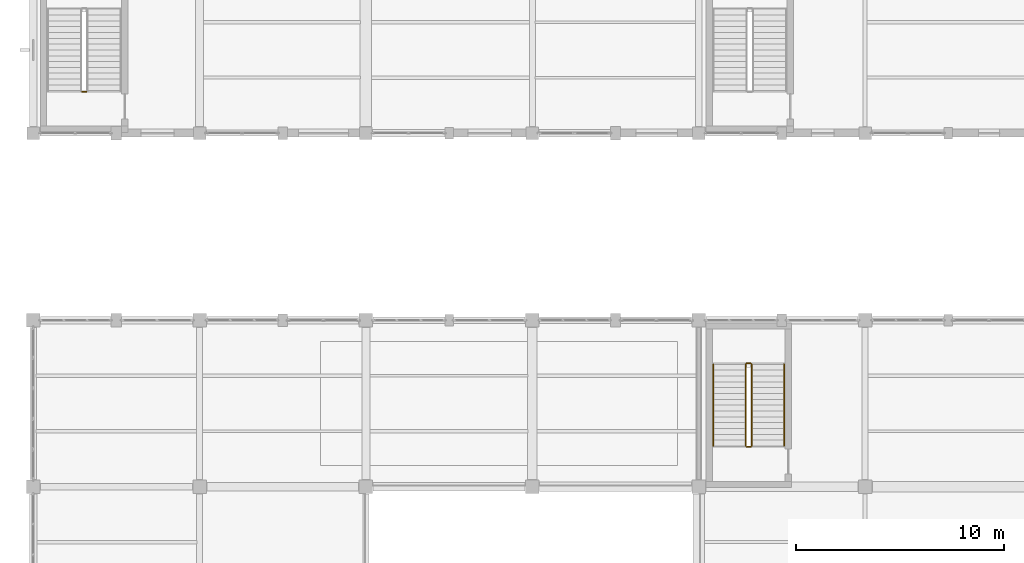
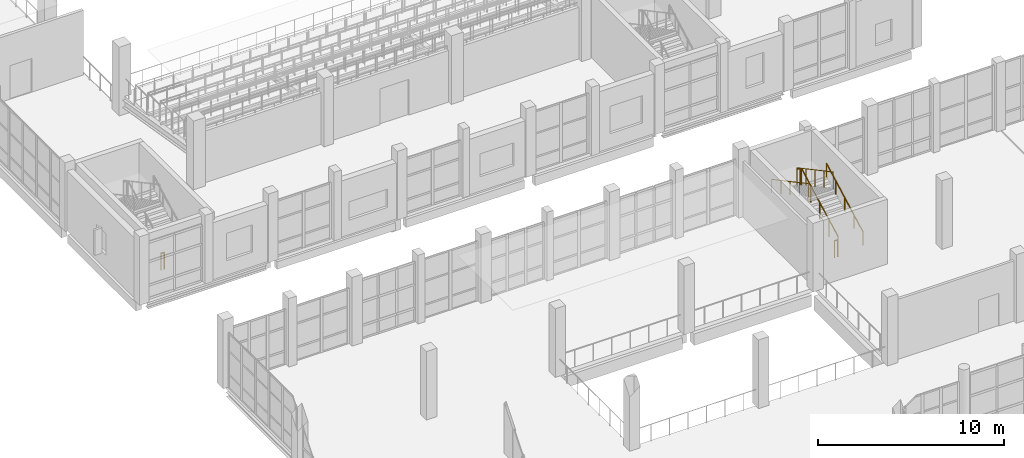
# One storey, part 166 of 183: 7 railings.
"""IFC4 building model written with IfcOpenShell, lengths in metres."""

from ifc_helpers import new_model, si_unit, direction, frame, origin, origin_2d, place, context, subcontext, project, spatial, circle, extrude, material, type_object, element, save


model = new_model("IFC4")

# Units and contexts
model_context = context("Model", 3, precision=1e-05, world=origin(), true_north=direction((0.0, 1.0)))
body_context = subcontext(model_context, "Body", "Model", "MODEL_VIEW")
ifc_project = project(units=[si_unit("LENGTHUNIT", "METRE"), si_unit("AREAUNIT", "SQUARE_METRE"), si_unit("VOLUMEUNIT", "CUBIC_METRE"), si_unit("PLANEANGLEUNIT", "RADIAN"), si_unit("MASSUNIT", "GRAM", prefix="KILO")], contexts=[model_context])

# Site, building, storey
site_placement = place(None, origin())
site = spatial("IfcSite", under=ifc_project, at=site_placement, CompositionType="ELEMENT")
building_placement = place(site_placement, origin())
building = spatial("IfcBuilding", under=site, at=building_placement, Name="Luwemba Playhouse", CompositionType="ELEMENT")
storey_placement = place(building_placement, frame((0.0, 0.0, 4.800048828125)))
storey = spatial("IfcBuildingStorey", under=building, at=storey_placement, Name="L01", CompositionType="ELEMENT", Elevation=4.800048828125)

# Railings
ifc_material_1 = material(Name="Painted wrought-iron gallery balustrade", Category="steel")
railing_type_1 = type_object("IfcRailingType", Name="RLG-BAL-INT", PredefinedType="BALUSTRADE", material=ifc_material_1)
railing_1_placement = place(storey_placement, frame((6.550048828125, 37.989990234375, 0.0)))
element("IfcRailing", 1, at=railing_1_placement, inside=storey, type_object=railing_type_1, Name="L01 ST-01 stair guard 4", PredefinedType="BALUSTRADE", context=body_context, shape_type="SweptSolid", body=[
    extrude(circle(Radius=0.02392578125, at=origin_2d()), frame((0.0, 0.0, 1.09619140625), z_axis=(-1.0, 0.0, 0.0), x_axis=(0.0, -1.0, 0.0)), (0.0, 0.0, 1.0), 0.199951171875),
    extrude(circle(Radius=0.02099609375, at=origin_2d()), origin(), (0.0, 0.0, 1.0), 1.072021484375),
    extrude(circle(Radius=0.02099609375, at=origin_2d()), frame((-0.199951171875, 0.0, 0.0)), (0.0, 0.0, 1.0), 1.072021484375),
])
railing_2_placement = place(storey_placement, frame((38.550048828125, 20.9599609375, 0.14990234375)))
element("IfcRailing", 2, at=railing_2_placement, inside=storey, type_object=railing_type_1, Name="L01 ST-13 stair guard 1", PredefinedType="BALUSTRADE", context=body_context, shape_type="SweptSolid", body=[
    extrude(circle(Radius=0.02392578125, at=origin_2d()), frame((0.0, 0.0, 1.09619140625), z_axis=(0.0, 0.881466911329, 0.472245787945), x_axis=(-1.0, 0.0, 0.0)), (0.0, 0.0, 1.0), 4.447021484375),
    extrude(circle(Radius=0.02099609375, at=origin_2d()), origin(), (0.0, 0.0, 1.0), 1.072021484375),
    extrude(circle(Radius=0.02099609375, at=origin_2d()), frame((0.0, 0.97998046875, 0.52490234375)), (0.0, 0.0, 1.0), 1.072021484375),
    extrude(circle(Radius=0.02099609375, at=origin_2d()), frame((0.0, 1.9599609375, 1.050048828125)), (0.0, 0.0, 1.0), 1.072021484375),
    extrude(circle(Radius=0.02099609375, at=origin_2d()), frame((0.0, 2.93994140625, 1.5751953125)), (0.0, 0.0, 1.0), 1.072021484375),
    extrude(circle(Radius=0.02099609375, at=origin_2d()), frame((0.0, 3.919921875, 2.10009765625)), (0.0, 0.0, 1.0), 1.072021484375),
])
railing_3_placement = place(storey_placement, frame((38.5, 24.929931640625, 2.25)))
element("IfcRailing", 3, at=railing_3_placement, inside=storey, type_object=railing_type_1, Name="L01 ST-13 stair guard 2", PredefinedType="BALUSTRADE", context=body_context, shape_type="SweptSolid", body=[
    extrude(circle(Radius=0.02392578125, at=origin_2d()), frame((0.0, 0.0, 1.09619140625), z_axis=(-1.0, 0.0, 0.0), x_axis=(0.0, -1.0, 0.0)), (0.0, 0.0, 1.0), 0.199951171875),
    extrude(circle(Radius=0.02099609375, at=origin_2d()), origin(), (0.0, 0.0, 1.0), 1.072021484375),
    extrude(circle(Radius=0.02099609375, at=origin_2d()), frame((-0.199951171875, 0.0, 0.0)), (0.0, 0.0, 1.0), 1.072021484375),
])
railing_4_placement = place(storey_placement, frame((38.25, 24.8798828125, 2.39990234375)))
element("IfcRailing", 4, at=railing_4_placement, inside=storey, type_object=railing_type_1, Name="L01 ST-13 stair guard 3", PredefinedType="BALUSTRADE", context=body_context, shape_type="SweptSolid", body=[
    extrude(circle(Radius=0.02392578125, at=origin_2d()), frame((0.0, 0.0, 1.09619140625), z_axis=(0.0, -0.881466911329, 0.472245787945), x_axis=(1.0, 0.0, 0.0)), (0.0, 0.0, 1.0), 4.447021484375),
    extrude(circle(Radius=0.02099609375, at=origin_2d()), origin(), (0.0, 0.0, 1.0), 1.072021484375),
    extrude(circle(Radius=0.02099609375, at=origin_2d()), frame((0.0, -0.97998046875, 0.52490234375)), (0.0, 0.0, 1.0), 1.072021484375),
    extrude(circle(Radius=0.02099609375, at=origin_2d()), frame((0.0, -1.9599609375, 1.050048828125)), (0.0, 0.0, 1.0), 1.072021484375),
    extrude(circle(Radius=0.02099609375, at=origin_2d()), frame((0.0, -2.93994140625, 1.5751953125)), (0.0, 0.0, 1.0), 1.072021484375),
    extrude(circle(Radius=0.02099609375, at=origin_2d()), frame((0.0, -3.919921875, 2.10009765625)), (0.0, 0.0, 1.0), 1.072021484375),
])
railing_5_placement = place(storey_placement, frame((38.5, 20.909912109375, 0.0)))
element("IfcRailing", 5, at=railing_5_placement, inside=storey, type_object=railing_type_1, Name="L01 ST-13 stair guard 4", PredefinedType="BALUSTRADE", context=body_context, shape_type="SweptSolid", body=[
    extrude(circle(Radius=0.02392578125, at=origin_2d()), frame((0.0, 0.0, 1.09619140625), z_axis=(-1.0, 0.0, 0.0), x_axis=(0.0, -1.0, 0.0)), (0.0, 0.0, 1.0), 0.199951171875),
    extrude(circle(Radius=0.02099609375, at=origin_2d()), origin(), (0.0, 0.0, 1.0), 1.072021484375),
    extrude(circle(Radius=0.02099609375, at=origin_2d()), frame((-0.199951171875, 0.0, 0.0)), (0.0, 0.0, 1.0), 1.072021484375),
])
ifc_material_2 = material(Name="Hardwood and bronze handrail", Category="wood")
railing_type_2 = type_object("IfcRailingType", Name="RLG-HR-INT", PredefinedType="HANDRAIL", material=ifc_material_2)
railing_6_placement = place(storey_placement, frame((40.10009765625, 20.9599609375, 0.14990234375)))
element("IfcRailing", 6, at=railing_6_placement, inside=storey, type_object=railing_type_2, Name="L01 ST-13 stair handrail 1", PredefinedType="HANDRAIL", context=body_context, shape_type="SweptSolid", body=[
    extrude(circle(Radius=0.02392578125, at=origin_2d()), frame((0.0, 0.0, 0.8759765625), z_axis=(0.0, 0.881466911329, 0.472245787945), x_axis=(-1.0, 0.0, 0.0)), (0.0, 0.0, 1.0), 4.447021484375),
    extrude(circle(Radius=0.02099609375, at=origin_2d()), origin(), (0.0, 0.0, 1.0), 0.851806640625),
    extrude(circle(Radius=0.02099609375, at=origin_2d()), frame((0.0, 0.97998046875, 0.52490234375)), (0.0, 0.0, 1.0), 0.851806640625),
    extrude(circle(Radius=0.02099609375, at=origin_2d()), frame((0.0, 1.9599609375, 1.050048828125)), (0.0, 0.0, 1.0), 0.851806640625),
    extrude(circle(Radius=0.02099609375, at=origin_2d()), frame((0.0, 2.93994140625, 1.5751953125)), (0.0, 0.0, 1.0), 0.851806640625),
    extrude(circle(Radius=0.02099609375, at=origin_2d()), frame((0.0, 3.919921875, 2.10009765625)), (0.0, 0.0, 1.0), 0.851806640625),
])
railing_7_placement = place(storey_placement, frame((36.699951171875, 24.8798828125, 2.39990234375)))
element("IfcRailing", 7, at=railing_7_placement, inside=storey, type_object=railing_type_2, Name="L01 ST-13 stair handrail 2", PredefinedType="HANDRAIL", context=body_context, shape_type="SweptSolid", body=[
    extrude(circle(Radius=0.02392578125, at=origin_2d()), frame((0.0, 0.0, 0.8759765625), z_axis=(0.0, -0.881466911329, 0.472245787945), x_axis=(1.0, 0.0, 0.0)), (0.0, 0.0, 1.0), 4.447021484375),
    extrude(circle(Radius=0.02099609375, at=origin_2d()), origin(), (0.0, 0.0, 1.0), 0.851806640625),
    extrude(circle(Radius=0.02099609375, at=origin_2d()), frame((0.0, -0.97998046875, 0.52490234375)), (0.0, 0.0, 1.0), 0.851806640625),
    extrude(circle(Radius=0.02099609375, at=origin_2d()), frame((0.0, -1.9599609375, 1.050048828125)), (0.0, 0.0, 1.0), 0.851806640625),
    extrude(circle(Radius=0.02099609375, at=origin_2d()), frame((0.0, -2.93994140625, 1.5751953125)), (0.0, 0.0, 1.0), 0.851806640625),
    extrude(circle(Radius=0.02099609375, at=origin_2d()), frame((0.0, -3.919921875, 2.10009765625)), (0.0, 0.0, 1.0), 0.851806640625),
])

save(model, "model.ifc")
